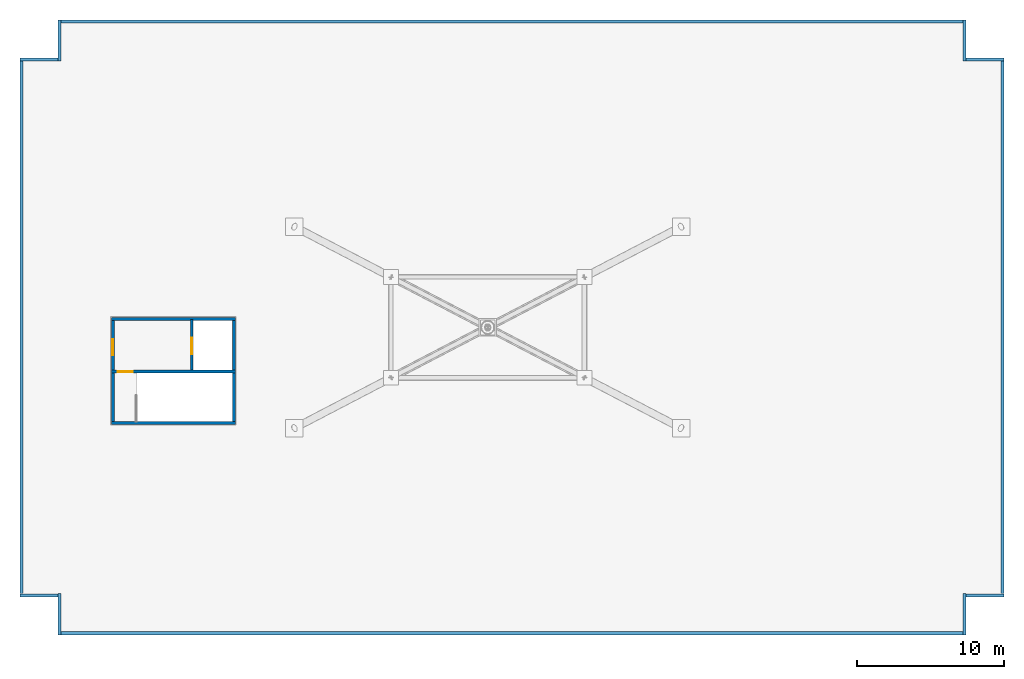
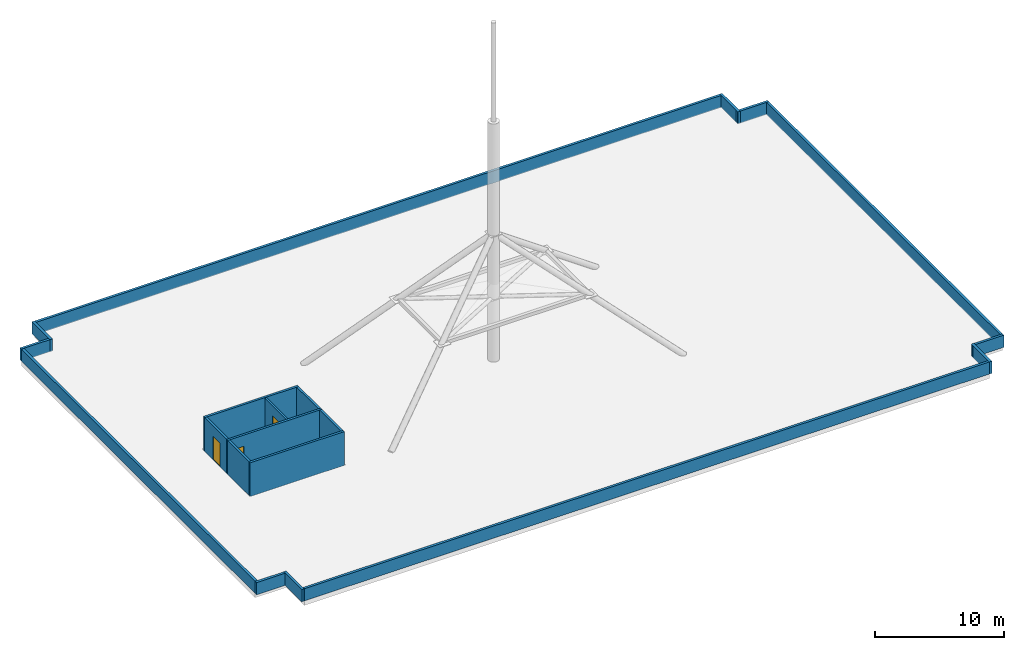
# One storey, part 7 of 8: 20 walls, 3 doors, 3 openings.
"""IFC4 building model written with IfcOpenShell, lengths in metres."""

from ifc_helpers import new_model, si_unit, direction, frame, frame_2d, origin, place, context, subcontext, project, spatial, rectangle, extrude, material, layer, layer_set, type_object, element, fill, save


model = new_model("IFC4")

# Units and contexts
model_context = context("Model", 3, precision=1e-05, world=origin(), true_north=direction((0.0, 1.0)))
body_context = subcontext(model_context, "Body", "Model", "MODEL_VIEW")
ifc_project = project(units=[si_unit("LENGTHUNIT", "METRE"), si_unit("AREAUNIT", "SQUARE_METRE"), si_unit("VOLUMEUNIT", "CUBIC_METRE"), si_unit("PLANEANGLEUNIT", "RADIAN"), si_unit("MASSUNIT", "GRAM", prefix="KILO")], contexts=[model_context])

# Site, building, storey
site_placement = place(None, origin())
site = spatial("IfcSite", under=ifc_project, at=site_placement, CompositionType="ELEMENT")
building_placement = place(site_placement, origin())
building = spatial("IfcBuilding", under=site, at=building_placement, Name="Putna Gate Headquarters", CompositionType="ELEMENT")
storey_placement = place(building_placement, frame((0.0, 0.0, 320.39990234375)))
storey = spatial("IfcBuildingStorey", under=building, at=storey_placement, Name="RF", CompositionType="ELEMENT", Elevation=320.39990234375)

# Walls
ifc_material_1 = material(Name="Precast concrete C40/50", Category="concrete")
ifc_layer_1 = layer(ifc_material_1, 0.219970703125)
ifc_layer_set_1 = layer_set([ifc_layer_1], Name="Precast concrete C40/50")
wall_type_1 = type_object("IfcWallType", Name="WALL-PARAPET-220", PredefinedType="PARAPET", material=ifc_layer_set_1)
for number, where, z_axis, x_axis, name in (
    (1, (10.0, 5.2099609375, 0.0), (0.0, 0.0, 1.0), (1.0, 0.0, 0.0), "RF Crown Roof Parapet S"),
    (2, (71.300048828125, 46.7900390625, 0.0), (0.0, 0.0, 1.0), (-1.0, 0.0, 0.0), "RF Crown Roof Parapet N"),
):
    element("IfcWall", number, at=place(storey_placement, frame(where, z_axis=z_axis, x_axis=x_axis)), inside=storey, type_object=wall_type_1, Name=name, PredefinedType="PARAPET", context=body_context, shape_type="SweptSolid", body=[
        extrude(rectangle(XDim=61.300048828125, YDim=0.219970703125, at=frame_2d((30.64990234375, 0.0))), origin(), (0.0, 0.0, 1.0), 1.150146484375),
    ])
for number, where, z_axis, x_axis, name in (
    (3, (7.31005859375, 7.89990234375, 0.0), (0.0, 0.0, 1.0), (0.0, 1.0, 0.0), "RF Crown Roof Parapet W"),
    (4, (73.989990234375, 44.10009765625, 0.0), (0.0, 0.0, 1.0), (0.0, -1.0, 0.0), "RF Crown Roof Parapet E"),
):
    element("IfcWall", number, at=place(storey_placement, frame(where, z_axis=z_axis, x_axis=x_axis)), inside=storey, type_object=wall_type_1, Name=name, PredefinedType="PARAPET", context=body_context, shape_type="SweptSolid", body=[
        extrude(rectangle(XDim=36.2001953125, YDim=0.219970703125, at=frame_2d((18.10009765625, 0.0))), origin(), (0.0, 0.0, 1.0), 1.150146484375),
    ])
wall_1_placement = place(storey_placement, frame((9.8798828125, 5.10009765625, 0.0), z_axis=(0.0, 0.0, 1.0), x_axis=(0.0, 1.0, 0.0)))
element("IfcWall", 5, at=wall_1_placement, inside=storey, type_object=wall_type_1, Name="RF Corner Notch Return Wall SW-V", PredefinedType="PARAPET", context=body_context, shape_type="SweptSolid", body=[
    extrude(rectangle(XDim=2.7998046875, YDim=0.219970703125, at=frame_2d((1.39990234375, 0.0))), origin(), (0.0, 0.0, 1.0), 1.150146484375),
])
wall_2_placement = place(storey_placement, frame((10.0, 7.780029296875, 0.0), z_axis=(0.0, 0.0, 1.0), x_axis=(-1.0, 0.0, 0.0)))
element("IfcWall", 6, at=wall_2_placement, inside=storey, type_object=wall_type_1, Name="RF Corner Notch Return Wall SW-H", PredefinedType="PARAPET", context=body_context, shape_type="SweptSolid", body=[
    extrude(rectangle(XDim=2.800048828125, YDim=0.219970703125, at=frame_2d((1.39990234375, 0.0))), origin(), (0.0, 0.0, 1.0), 1.150146484375),
])
wall_3_placement = place(storey_placement, frame((9.8798828125, 44.10009765625, 0.0), z_axis=(0.0, 0.0, 1.0), x_axis=(0.0, 1.0, 0.0)))
element("IfcWall", 7, at=wall_3_placement, inside=storey, type_object=wall_type_1, Name="RF Corner Notch Return Wall NW-V", PredefinedType="PARAPET", context=body_context, shape_type="SweptSolid", body=[
    extrude(rectangle(XDim=2.7998046875, YDim=0.219970703125, at=frame_2d((1.39990234375, 0.0))), origin(), (0.0, 0.0, 1.0), 1.150146484375),
])
wall_4_placement = place(storey_placement, frame((7.199951171875, 44.219970703125, 0.0), z_axis=(0.0, 0.0, 1.0), x_axis=(1.0, 0.0, 0.0)))
element("IfcWall", 8, at=wall_4_placement, inside=storey, type_object=wall_type_1, Name="RF Corner Notch Return Wall NW-H", PredefinedType="PARAPET", context=body_context, shape_type="SweptSolid", body=[
    extrude(rectangle(XDim=2.800048828125, YDim=0.219970703125, at=frame_2d((1.39990234375, 0.0))), origin(), (0.0, 0.0, 1.0), 1.150146484375),
])
wall_5_placement = place(storey_placement, frame((71.419921875, 46.89990234375, 0.0), z_axis=(0.0, 0.0, 1.0), x_axis=(0.0, -1.0, 0.0)))
element("IfcWall", 9, at=wall_5_placement, inside=storey, type_object=wall_type_1, Name="RF Corner Notch Return Wall NE-V", PredefinedType="PARAPET", context=body_context, shape_type="SweptSolid", body=[
    extrude(rectangle(XDim=2.7998046875, YDim=0.219970703125, at=frame_2d((1.39990234375, 0.0))), origin(), (0.0, 0.0, 1.0), 1.150146484375),
])
wall_6_placement = place(storey_placement, frame((71.300048828125, 44.219970703125, 0.0), z_axis=(0.0, 0.0, 1.0), x_axis=(1.0, 0.0, 0.0)))
element("IfcWall", 10, at=wall_6_placement, inside=storey, type_object=wall_type_1, Name="RF Corner Notch Return Wall NE-H", PredefinedType="PARAPET", context=body_context, shape_type="SweptSolid", body=[
    extrude(rectangle(XDim=2.800048828125, YDim=0.219970703125, at=frame_2d((1.39990234375, 0.0))), origin(), (0.0, 0.0, 1.0), 1.150146484375),
])
wall_7_placement = place(storey_placement, frame((71.419921875, 7.89990234375, 0.0), z_axis=(0.0, 0.0, 1.0), x_axis=(0.0, -1.0, 0.0)))
element("IfcWall", 11, at=wall_7_placement, inside=storey, type_object=wall_type_1, Name="RF Corner Notch Return Wall SE-V", PredefinedType="PARAPET", context=body_context, shape_type="SweptSolid", body=[
    extrude(rectangle(XDim=2.7998046875, YDim=0.219970703125, at=frame_2d((1.39990234375, 0.0))), origin(), (0.0, 0.0, 1.0), 1.150146484375),
])
wall_8_placement = place(storey_placement, frame((74.10009765625, 7.780029296875, 0.0), z_axis=(0.0, 0.0, 1.0), x_axis=(-1.0, 0.0, 0.0)))
element("IfcWall", 12, at=wall_8_placement, inside=storey, type_object=wall_type_1, Name="RF Corner Notch Return Wall SE-H", PredefinedType="PARAPET", context=body_context, shape_type="SweptSolid", body=[
    extrude(rectangle(XDim=2.800048828125, YDim=0.219970703125, at=frame_2d((1.39990234375, 0.0))), origin(), (0.0, 0.0, 1.0), 1.150146484375),
])

# Wall, opening, door
ifc_material_2 = material(Name="Concrete C40/50", Category="concrete")
ifc_layer_2 = layer(ifc_material_2, 0.159912109375)
ifc_layer_set_2 = layer_set([ifc_layer_2], Name="Concrete C40/50")
wall_type_2 = type_object("IfcWallType", Name="WALL-SHAFT-160", PredefinedType="STANDARD", material=ifc_layer_set_2)
wall_9_placement = place(storey_placement, frame((18.8798828125, 23.090087890625, 0.0), z_axis=(0.0, 0.0, 1.0), x_axis=(0.0, 1.0, 0.0)))
wall_9 = element("IfcWall", 13, at=wall_9_placement, inside=storey, type_object=wall_type_2, Name="RF Interior Wall CWINT-RF-WC-LF13-W", PredefinedType="STANDARD", context=body_context, shape_type="SweptSolid", body=[
    extrude(rectangle(XDim=3.449951171875, YDim=0.159912109375, at=frame_2d((1.72509765625, 0.0))), origin(), (0.0, 0.0, 1.0), 3.16015625),
])
opening_1_placement = place(wall_9_placement, frame((1.10009765625, 0.0, 0.0)))
opening_1 = element("IfcOpeningElement", 14, at=opening_1_placement, cuts=wall_9, Name="Opening LD-1", PredefinedType="OPENING", context=body_context, shape_type="SweptSolid", body=[
    extrude(rectangle(XDim=1.10009765625, YDim=2.199951171875, at=frame_2d((0.550048828125, 1.10009765625))), frame((0.0, 0.08984375, 0.0), z_axis=(0.0, -1.0, 0.0), x_axis=(1.0, 0.0, 0.0)), (0.0, 0.0, 1.0), 0.179931640625),
])
ifc_material_3 = material(Name="Brushed bronze stainless lift landing door")
door_type_1 = type_object("IfcDoorType", Name="DOOR-LIFT-1100", OperationType="DOUBLE_DOOR_SLIDING", PredefinedType="DOOR", material=ifc_material_3)
door_1_placement = place(opening_1_placement, origin())
door_1 = element("IfcDoor", 15, at=door_1_placement, inside=storey, type_object=door_type_1, Name="RF Lift Landing Door LD-13", OperationType="DOUBLE_DOOR_SLIDING", OverallHeight=2.199951171875, OverallWidth=1.10009765625, PredefinedType="DOOR", context=body_context, shape_type="SweptSolid", body=[
    extrude(rectangle(XDim=1.10009765625, YDim=2.199951171875, at=frame_2d((0.550048828125, 1.10009765625))), frame((0.0, 0.02490234375, 0.0), z_axis=(0.0, -1.0, 0.0), x_axis=(1.0, 0.0, 0.0)), (0.0, 0.0, 1.0), 0.050048828125),
])
fill(opening_1, door_1)

# Walls
ifc_layer_3 = layer(ifc_material_2, 0.199951171875)
ifc_layer_set_3 = layer_set([ifc_layer_3], Name="Concrete C40/50")
wall_type_3 = type_object("IfcWallType", Name="WALL-SHAFT-EXT-RC200", PredefinedType="SHEAR", material=ifc_layer_set_3)
wall_10_placement = place(storey_placement, frame((13.409912109375, 19.510009765625, 0.0), z_axis=(0.0, 0.0, 1.0), x_axis=(1.0, 0.0, 0.0)))
element("IfcWall", 16, at=wall_10_placement, inside=storey, type_object=wall_type_3, Name="RF Stair ST1 Penthouse Wall S", PredefinedType="SHEAR", context=body_context, shape_type="SweptSolid", body=[
    extrude(rectangle(XDim=8.43017578125, YDim=0.199951171875, at=frame_2d((4.215087890625, 0.0))), origin(), (0.0, 0.0, 1.0), 3.2001953125),
])
for number, where, z_axis, x_axis, name in (
    (17, (13.510009765625, 19.610107421875, 0.0), (0.0, 0.0, 1.0), (0.0, 1.0, 0.0), "RF Stair ST1 Penthouse Wall W"),
    (18, (21.739990234375, 19.610107421875, 0.0), (0.0, 0.0, 1.0), (0.0, 1.0, 0.0), "RF Stair ST1 Penthouse Wall E"),
):
    element("IfcWall", number, at=place(storey_placement, frame(where, z_axis=z_axis, x_axis=x_axis)), inside=storey, type_object=wall_type_3, Name=name, PredefinedType="SHEAR", context=body_context, shape_type="SweptSolid", body=[
        extrude(rectangle(XDim=3.27978515625, YDim=0.199951171875, at=frame_2d((1.639892578125, 0.0))), origin(), (0.0, 0.0, 1.0), 3.2001953125),
    ])
wall_11_placement = place(storey_placement, frame((13.409912109375, 26.56005859375, 0.0), z_axis=(0.0, 0.0, 1.0), x_axis=(1.0, 0.0, 0.0)))
element("IfcWall", 19, at=wall_11_placement, inside=storey, type_object=wall_type_3, Name="RF Maintenance Vestibule Wall N", PredefinedType="SHEAR", context=body_context, shape_type="SweptSolid", body=[
    extrude(rectangle(XDim=8.43017578125, YDim=0.199951171875, at=frame_2d((4.215087890625, 0.0))), origin(), (0.0, 0.0, 1.0), 3.2001953125),
])

# Wall, opening, door
wall_12_placement = place(storey_placement, frame((13.510009765625, 23.090087890625, 0.0), z_axis=(0.0, 0.0, 1.0), x_axis=(0.0, 1.0, 0.0)))
wall_12 = element("IfcWall", 20, at=wall_12_placement, inside=storey, type_object=wall_type_3, Name="RF Maintenance Vestibule Wall W", PredefinedType="SHEAR", context=body_context, shape_type="SweptSolid", body=[
    extrude(rectangle(XDim=3.369873046875, YDim=0.199951171875, at=frame_2d((1.68505859375, 0.0))), origin(), (0.0, 0.0, 1.0), 3.2001953125),
])
opening_2_placement = place(wall_12_placement, frame((1.0, 0.0, 0.0)))
opening_2 = element("IfcOpeningElement", 21, at=opening_2_placement, cuts=wall_12, Name="Opening FD-EXT", PredefinedType="OPENING", context=body_context, shape_type="SweptSolid", body=[
    extrude(rectangle(XDim=1.10009765625, YDim=2.199951171875, at=frame_2d((0.550048828125, 1.10009765625))), frame((0.0, 0.10986328125, 0.0), z_axis=(0.0, -1.0, 0.0), x_axis=(1.0, 0.0, 0.0)), (0.0, 0.0, 1.0), 0.219970703125),
])
ifc_material_4 = material(Name="Powder-coated steel fire access door", Category="steel")
door_type_2 = type_object("IfcDoorType", Name="DOOR-FCC-EXT-1100", OperationType="SINGLE_SWING_LEFT", PredefinedType="DOOR", material=ifc_material_4)
door_2_placement = place(opening_2_placement, origin())
door_2 = element("IfcDoor", 22, at=door_2_placement, inside=storey, type_object=door_type_2, Name="RF Roof Maintenance Access Door", OperationType="SINGLE_SWING_LEFT", OverallHeight=2.199951171875, OverallWidth=1.10009765625, PredefinedType="DOOR", context=body_context, shape_type="SweptSolid", body=[
    extrude(rectangle(XDim=1.10009765625, YDim=2.199951171875, at=frame_2d((0.550048828125, 1.10009765625))), frame((0.0, 0.02490234375, 0.0), z_axis=(0.0, -1.0, 0.0), x_axis=(1.0, 0.0, 0.0)), (0.0, 0.0, 1.0), 0.050048828125),
])
fill(opening_2, door_2)

# Wall
wall_13_placement = place(storey_placement, frame((21.739990234375, 23.090087890625, 0.0), z_axis=(0.0, 0.0, 1.0), x_axis=(0.0, 1.0, 0.0)))
element("IfcWall", 23, at=wall_13_placement, inside=storey, type_object=wall_type_3, Name="RF Maintenance Vestibule Wall E", PredefinedType="SHEAR", context=body_context, shape_type="SweptSolid", body=[
    extrude(rectangle(XDim=3.369873046875, YDim=0.199951171875, at=frame_2d((1.68505859375, 0.0))), origin(), (0.0, 0.0, 1.0), 3.2001953125),
])

# Wall, opening, door
ifc_layer_4 = layer(ifc_material_2, 0.199951171875)
ifc_layer_set_4 = layer_set([ifc_layer_4], Name="Concrete C40/50")
wall_type_4 = type_object("IfcWallType", Name="WALL-SHAFT-RC200", PredefinedType="SHEAR", material=ifc_layer_set_4)
wall_14_placement = place(storey_placement, frame((13.409912109375, 22.989990234375, 0.0), z_axis=(0.0, 0.0, 1.0), x_axis=(1.0, 0.0, 0.0)))
wall_14 = element("IfcWall", 24, at=wall_14_placement, inside=storey, type_object=wall_type_4, Name="RF Stair ST1 Penthouse Wall N", PredefinedType="SHEAR", context=body_context, shape_type="SweptSolid", body=[
    extrude(rectangle(XDim=8.43017578125, YDim=0.199951171875, at=frame_2d((4.215087890625, 0.0))), origin(), (0.0, 0.0, 1.0), 3.2001953125),
])
opening_3_placement = place(wall_14_placement, frame((0.449951171875, 0.0, 0.0)))
opening_3 = element("IfcOpeningElement", 25, at=opening_3_placement, cuts=wall_14, Name="Opening FD-100", PredefinedType="OPENING", context=body_context, shape_type="SweptSolid", body=[
    extrude(rectangle(XDim=1.0, YDim=2.14990234375, at=frame_2d((0.5, 1.074951171875))), frame((0.0, 0.10986328125, 0.0), z_axis=(0.0, -1.0, 0.0), x_axis=(1.0, 0.0, 0.0)), (0.0, 0.0, 1.0), 0.219970703125),
])
ifc_material_5 = material(Name="Powder-coated steel fire door", Category="steel")
door_type_3 = type_object("IfcDoorType", Name="DOOR-FIRE-1000", OperationType="NOTDEFINED", PredefinedType="DOOR", material=ifc_material_5)
door_3_placement = place(opening_3_placement, origin())
door_3 = element("IfcDoor", 26, at=door_3_placement, inside=storey, type_object=door_type_3, Name="RF Stair ST1 Penthouse Fire Door", OperationType="SINGLE_SWING_LEFT", OverallHeight=2.14990234375, OverallWidth=1.0, PredefinedType="DOOR", context=body_context, shape_type="SweptSolid", body=[
    extrude(rectangle(XDim=1.0, YDim=2.14990234375, at=frame_2d((0.5, 1.074951171875))), frame((0.0, 0.02490234375, 0.0), z_axis=(0.0, -1.0, 0.0), x_axis=(1.0, 0.0, 0.0)), (0.0, 0.0, 1.0), 0.050048828125),
])
fill(opening_3, door_3)

save(model, "model.ifc")
